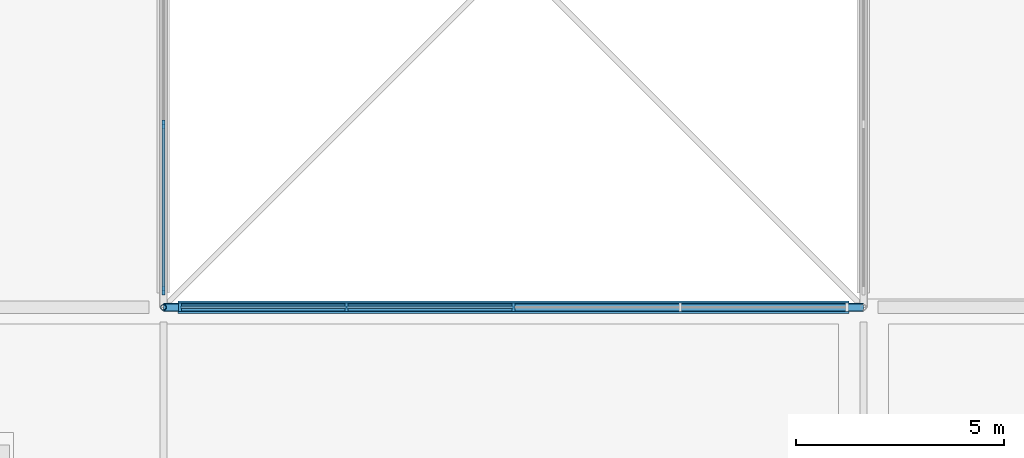
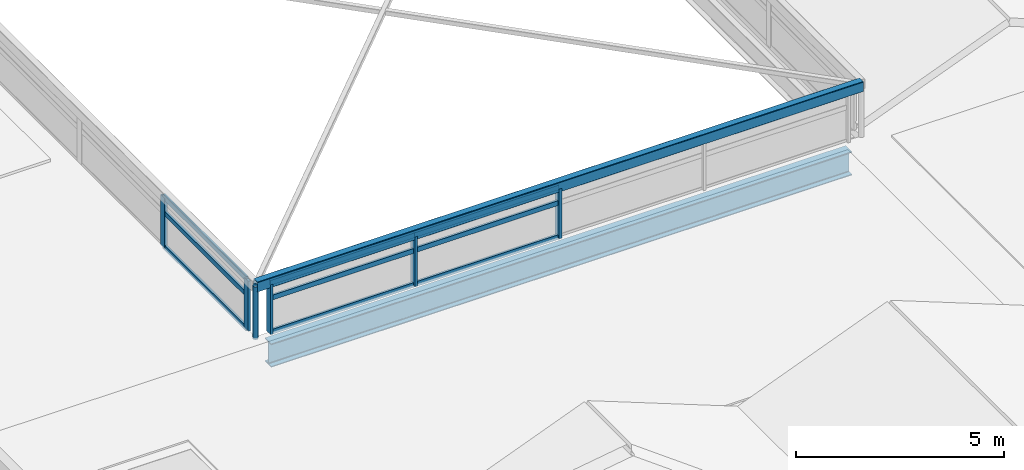
# One storey, part 59 of 81: 15 members, 2 beams, 2 elements without a shape of their own.
"""IFC4 building model written with IfcOpenShell, lengths in metres."""

from ifc_helpers import new_model, si_unit, direction, frame, origin, origin_2d, place, context, subcontext, project, spatial, rectangle, hollow_rectangle, hollow_circle, i_section, extrude, material, layer, layer_set, material_profile, profile_set, type_object, element, aggregate, save


model = new_model("IFC4")

# Units and contexts
model_context = context("Model", 3, precision=1e-05, world=origin(), true_north=direction((0.0, 1.0)))
body_context = subcontext(model_context, "Body", "Model", "MODEL_VIEW")
ifc_project = project(units=[si_unit("LENGTHUNIT", "METRE"), si_unit("AREAUNIT", "SQUARE_METRE"), si_unit("VOLUMEUNIT", "CUBIC_METRE"), si_unit("PLANEANGLEUNIT", "RADIAN"), si_unit("MASSUNIT", "GRAM", prefix="KILO")], contexts=[model_context])

# Site, building, storey
site_placement = place(None, origin())
site = spatial("IfcSite", under=ifc_project, at=site_placement, CompositionType="ELEMENT")
building_placement = place(site_placement, origin())
building = spatial("IfcBuilding", under=site, at=building_placement, Name="Qawsi Khor Wholesale Market", CompositionType="ELEMENT")
storey_placement = place(building_placement, frame((0.0, 0.0, 16.199951171875)))
storey = spatial("IfcBuildingStorey", under=building, at=storey_placement, Name="L03", CompositionType="ELEMENT", Elevation=16.199951171875)

# Curtain wall, members
ifc_material_1 = material(Name="Aluminium Anodised Bronze", Category="aluminium")
ifc_layer = layer(ifc_material_1, 0.179931640625, Name="Aluminium Anodised Bronze")
ifc_layer_set = layer_set([ifc_layer], Name="Aluminium Anodised Bronze")
curtain_wall_type = type_object("IfcCurtainWallType", Name="Atrium Full-Height Curtain Wall CW-02", PredefinedType="NOTDEFINED", material=ifc_layer_set)
curtain_wall_1_placement = place(storey_placement, origin())
curtain_wall_1 = element("IfcCurtainWall", 1, at=curtain_wall_1_placement, inside=storey, type_object=curtain_wall_type, Name="Curtain wall CW-CW-02-L03-050", PredefinedType="NOTDEFINED")
ifc_material_profile_1 = material_profile(ifc_material_1, rectangle(XDim=0.070068359375, YDim=0.199951171875, at=origin_2d()), Name="ALU MULLION 70x200")
ifc_profile_set_1 = profile_set([ifc_material_profile_1], Name="Aluminium Anodised Bronze")
member_type_1 = type_object("IfcMemberType", Name="Curtain Wall Mullion CW-02 ALU MULLION 70x200", PredefinedType="MULLION", material=ifc_profile_set_1)
member_1_placement = place(storey_placement, frame((151.594970703125, 25.199951171875, -0.02001953125), z_axis=(0.0, 0.0, 1.0), x_axis=(1.0, 0.0, 0.0)))
member_1 = element("IfcMember", 2, at=member_1_placement, type_object=member_type_1, Name="Mullion CW-CW-02-L03-050-M00", PredefinedType="MULLION", context=body_context, shape_type="SweptSolid", body=[
    extrude(rectangle(XDim=0.070068359375, YDim=0.199951171875, at=origin_2d()), origin(), (0.0, 0.0, 1.0), 1.469970703125),
])
member_2_placement = place(storey_placement, frame((155.597412109375, 25.199951171875, -0.02001953125), z_axis=(0.0, 0.0, 1.0), x_axis=(1.0, 0.0, 0.0)))
member_2 = element("IfcMember", 3, at=member_2_placement, type_object=member_type_1, Name="Mullion CW-CW-02-L03-050-M01", PredefinedType="MULLION", context=body_context, shape_type="SweptSolid", body=[
    extrude(rectangle(XDim=0.070068359375, YDim=0.199951171875, at=origin_2d()), origin(), (0.0, 0.0, 1.0), 1.469970703125),
])
member_3_placement = place(storey_placement, frame((159.60009765625, 25.199951171875, -0.02001953125), z_axis=(0.0, 0.0, 1.0), x_axis=(1.0, 0.0, 0.0)))
member_3 = element("IfcMember", 4, at=member_3_placement, type_object=member_type_1, Name="Mullion CW-CW-02-L03-050-M02", PredefinedType="MULLION", context=body_context, shape_type="SweptSolid", body=[
    extrude(rectangle(XDim=0.070068359375, YDim=0.199951171875, at=origin_2d()), origin(), (0.0, 0.0, 1.0), 1.469970703125),
])

curtain_wall_2_placement = place(storey_placement, origin())
curtain_wall_2 = element("IfcCurtainWall", 5, at=curtain_wall_2_placement, inside=storey, type_object=curtain_wall_type, Name="Curtain wall CW-CW-02-L03-052", PredefinedType="NOTDEFINED")
member_4_placement = place(storey_placement, frame((151.199951171875, 25.594970703125, -0.02001953125), z_axis=(0.0, 0.0, 1.0), x_axis=(1.0, 0.0, 0.0)))
member_4 = element("IfcMember", 6, at=member_4_placement, type_object=member_type_1, Name="Mullion CW-CW-02-L03-052-M00", PredefinedType="MULLION", context=body_context, shape_type="SweptSolid", body=[
    extrude(rectangle(XDim=0.070068359375, YDim=0.199951171875, at=origin_2d()), origin(), (0.0, 0.0, 1.0), 1.469970703125),
])
member_5_placement = place(storey_placement, frame((151.199951171875, 29.597412109375, -0.02001953125), z_axis=(0.0, 0.0, 1.0), x_axis=(1.0, 0.0, 0.0)))
member_5 = element("IfcMember", 7, at=member_5_placement, type_object=member_type_1, Name="Mullion CW-CW-02-L03-052-M01", PredefinedType="MULLION", context=body_context, shape_type="SweptSolid", body=[
    extrude(rectangle(XDim=0.070068359375, YDim=0.199951171875, at=origin_2d()), origin(), (0.0, 0.0, 1.0), 1.469970703125),
])

# Member
ifc_material_profile_2 = material_profile(ifc_material_1, rectangle(XDim=0.06494140625, YDim=0.139892578125, at=origin_2d()), Name="ALU TRANSOM 65x140")
ifc_profile_set_2 = profile_set([ifc_material_profile_2], Name="Aluminium Anodised Bronze")
member_type_2 = type_object("IfcMemberType", Name="Curtain Wall Transom CW-02 ALU TRANSOM 65x140", PredefinedType="USERDEFINED", material=ifc_profile_set_2)
member_6_placement = place(storey_placement, frame((151.594970703125, 25.199951171875, 0.0), z_axis=(1.0, 0.0, 0.0), x_axis=(0.0, 1.0, 0.0)))
member_6 = element("IfcMember", 8, at=member_6_placement, type_object=member_type_2, Name="Transom CW-CW-02-L03-050-T0_00", ObjectType="TRANSOM", PredefinedType="USERDEFINED", context=body_context, shape_type="SweptSolid", body=[
    extrude(rectangle(XDim=0.06494140625, YDim=0.139892578125, at=origin_2d()), origin(), (0.0, 0.0, 1.0), 4.00244140625),
])

member_7_placement = place(storey_placement, frame((155.597412109375, 25.199951171875, 0.0), z_axis=(1.0, 0.0, 0.0), x_axis=(0.0, 1.0, 0.0)))
member_7 = element("IfcMember", 9, at=member_7_placement, type_object=member_type_2, Name="Transom CW-CW-02-L03-050-T0_01", ObjectType="TRANSOM", PredefinedType="USERDEFINED", context=body_context, shape_type="SweptSolid", body=[
    extrude(rectangle(XDim=0.06494140625, YDim=0.139892578125, at=origin_2d()), origin(), (0.0, 0.0, 1.0), 4.002685546875),
])

member_8_placement = place(storey_placement, frame((151.594970703125, 25.199951171875, 1.0), z_axis=(1.0, 0.0, 0.0), x_axis=(0.0, 1.0, 0.0)))
member_8 = element("IfcMember", 10, at=member_8_placement, type_object=member_type_2, Name="Transom CW-CW-02-L03-050-T1_00", ObjectType="TRANSOM", PredefinedType="USERDEFINED", context=body_context, shape_type="SweptSolid", body=[
    extrude(rectangle(XDim=0.06494140625, YDim=0.139892578125, at=origin_2d()), origin(), (0.0, 0.0, 1.0), 4.00244140625),
])

member_9_placement = place(storey_placement, frame((155.597412109375, 25.199951171875, 1.0), z_axis=(1.0, 0.0, 0.0), x_axis=(0.0, 1.0, 0.0)))
member_9 = element("IfcMember", 11, at=member_9_placement, type_object=member_type_2, Name="Transom CW-CW-02-L03-050-T1_01", ObjectType="TRANSOM", PredefinedType="USERDEFINED", context=body_context, shape_type="SweptSolid", body=[
    extrude(rectangle(XDim=0.06494140625, YDim=0.139892578125, at=origin_2d()), origin(), (0.0, 0.0, 1.0), 4.002685546875),
])

member_10_placement = place(storey_placement, frame((151.594970703125, 25.199951171875, 1.449951171875), z_axis=(1.0, 0.0, 0.0), x_axis=(0.0, 1.0, 0.0)))
member_10 = element("IfcMember", 12, at=member_10_placement, type_object=member_type_2, Name="Transom CW-CW-02-L03-050-T2_00", ObjectType="TRANSOM", PredefinedType="USERDEFINED", context=body_context, shape_type="SweptSolid", body=[
    extrude(rectangle(XDim=0.06494140625, YDim=0.139892578125, at=origin_2d()), origin(), (0.0, 0.0, 1.0), 4.00244140625),
])

member_11_placement = place(storey_placement, frame((155.597412109375, 25.199951171875, 1.449951171875), z_axis=(1.0, 0.0, 0.0), x_axis=(0.0, 1.0, 0.0)))
member_11 = element("IfcMember", 13, at=member_11_placement, type_object=member_type_2, Name="Transom CW-CW-02-L03-050-T2_01", ObjectType="TRANSOM", PredefinedType="USERDEFINED", context=body_context, shape_type="SweptSolid", body=[
    extrude(rectangle(XDim=0.06494140625, YDim=0.139892578125, at=origin_2d()), origin(), (0.0, 0.0, 1.0), 4.002685546875),
])

aggregate(curtain_wall_1, [member_1, member_2, member_3, member_6, member_7, member_8, member_9, member_10, member_11])

member_12_placement = place(storey_placement, frame((151.199951171875, 25.594970703125, 0.0), z_axis=(0.0, 1.0, 0.0), x_axis=(-1.0, 0.0, 0.0)))
member_12 = element("IfcMember", 14, at=member_12_placement, type_object=member_type_2, Name="Transom CW-CW-02-L03-052-T0_00", ObjectType="TRANSOM", PredefinedType="USERDEFINED", context=body_context, shape_type="SweptSolid", body=[
    extrude(rectangle(XDim=0.06494140625, YDim=0.139892578125, at=origin_2d()), origin(), (0.0, 0.0, 1.0), 4.00244140625),
])

member_13_placement = place(storey_placement, frame((151.199951171875, 25.594970703125, 1.0), z_axis=(0.0, 1.0, 0.0), x_axis=(-1.0, 0.0, 0.0)))
member_13 = element("IfcMember", 15, at=member_13_placement, type_object=member_type_2, Name="Transom CW-CW-02-L03-052-T1_00", ObjectType="TRANSOM", PredefinedType="USERDEFINED", context=body_context, shape_type="SweptSolid", body=[
    extrude(rectangle(XDim=0.06494140625, YDim=0.139892578125, at=origin_2d()), origin(), (0.0, 0.0, 1.0), 4.00244140625),
])

member_14_placement = place(storey_placement, frame((151.199951171875, 25.594970703125, 1.449951171875), z_axis=(0.0, 1.0, 0.0), x_axis=(-1.0, 0.0, 0.0)))
member_14 = element("IfcMember", 16, at=member_14_placement, type_object=member_type_2, Name="Transom CW-CW-02-L03-052-T2_00", ObjectType="TRANSOM", PredefinedType="USERDEFINED", context=body_context, shape_type="SweptSolid", body=[
    extrude(rectangle(XDim=0.06494140625, YDim=0.139892578125, at=origin_2d()), origin(), (0.0, 0.0, 1.0), 4.00244140625),
])

aggregate(curtain_wall_2, [member_4, member_5, member_12, member_13, member_14])

ifc_material_2 = material(Name="Steel S355", Category="steel")
ifc_material_profile_3 = material_profile(ifc_material_2, hollow_circle(Radius=0.06982421875, WallThickness=0.00634765625, at=origin_2d()), Name="CHS 139.7x6.3")
ifc_profile_set_3 = profile_set([ifc_material_profile_3], Name="Steel S355")
member_type_3 = type_object("IfcMemberType", Name="Lantern Corner Strut CHS 139.7x6.3", PredefinedType="STRUT", material=ifc_profile_set_3)
member_15_placement = place(storey_placement, frame((151.199951171875, 25.199951171875, -0.050048828125), z_axis=(0.0, 0.0, 1.0), x_axis=(1.0, 0.0, 0.0)))
element("IfcMember", 17, at=member_15_placement, inside=storey, type_object=member_type_3, Name="Atrium lantern corner post EAT-1", PredefinedType="STRUT", context=body_context, shape_type="SweptSolid", body=[
    extrude(hollow_circle(Radius=0.06982421875, WallThickness=0.00634765625, at=origin_2d()), origin(), (0.0, 0.0, 1.0), 1.550048828125),
])

# Beams
ifc_material_profile_4 = material_profile(ifc_material_2, hollow_rectangle(XDim=0.199951171875, YDim=0.300048828125, WallThickness=0.012451171875, InnerFilletRadius=0.012451171875, OuterFilletRadius=0.02490234375, at=origin_2d()), Name="RHS 300x200x12.5")
ifc_profile_set_4 = profile_set([ifc_material_profile_4], Name="Steel S355")
beam_type_1 = type_object("IfcBeamType", Name="Lantern Rim Beam RHS 300x200x12.5", PredefinedType="BEAM", material=ifc_profile_set_4)
beam_1_placement = place(storey_placement, frame((151.199951171875, 25.199951171875, 1.5), z_axis=(1.0, 0.0, 0.0), x_axis=(0.0, 1.0, 0.0)))
element("IfcBeam", 18, at=beam_1_placement, inside=storey, type_object=beam_type_1, Name="Atrium lantern rim beam EAT-1", PredefinedType="BEAM", context=body_context, shape_type="SweptSolid", body=[
    extrude(hollow_rectangle(XDim=0.199951171875, YDim=0.300048828125, WallThickness=0.012451171875, InnerFilletRadius=0.012451171875, OuterFilletRadius=0.02490234375, at=origin_2d()), origin(), (0.0, 0.0, 1.0), 16.800048828125),
])
ifc_material_profile_5 = material_profile(ifc_material_2, i_section(OverallWidth=0.300048828125, OverallDepth=0.68994140625, WebThickness=0.014404296875, FlangeThickness=0.027099609375, FilletRadius=0.027099609375, at=origin_2d()), Name="HEA 700")
ifc_profile_set_5 = profile_set([ifc_material_profile_5], Name="Steel S355")
beam_type_2 = type_object("IfcBeamType", Name="Primary Girder HEA 700", PredefinedType="BEAM", material=ifc_profile_set_5)
beam_2_placement = place(storey_placement, frame((151.550048828125, 25.199951171875, -0.594970703125), z_axis=(1.0, 0.0, 0.0), x_axis=(0.0, 1.0, 0.0)))
element("IfcBeam", 19, at=beam_2_placement, inside=storey, type_object=beam_type_2, Name="BM-XL-L03-18_+03", PredefinedType="BEAM", context=body_context, shape_type="SweptSolid", body=[
    extrude(i_section(OverallWidth=0.300048828125, OverallDepth=0.68994140625, WebThickness=0.014404296875, FlangeThickness=0.027099609375, FilletRadius=0.027099609375, at=origin_2d()), origin(), (0.0, 0.0, 1.0), 16.099853515625),
])

save(model, "model.ifc")
